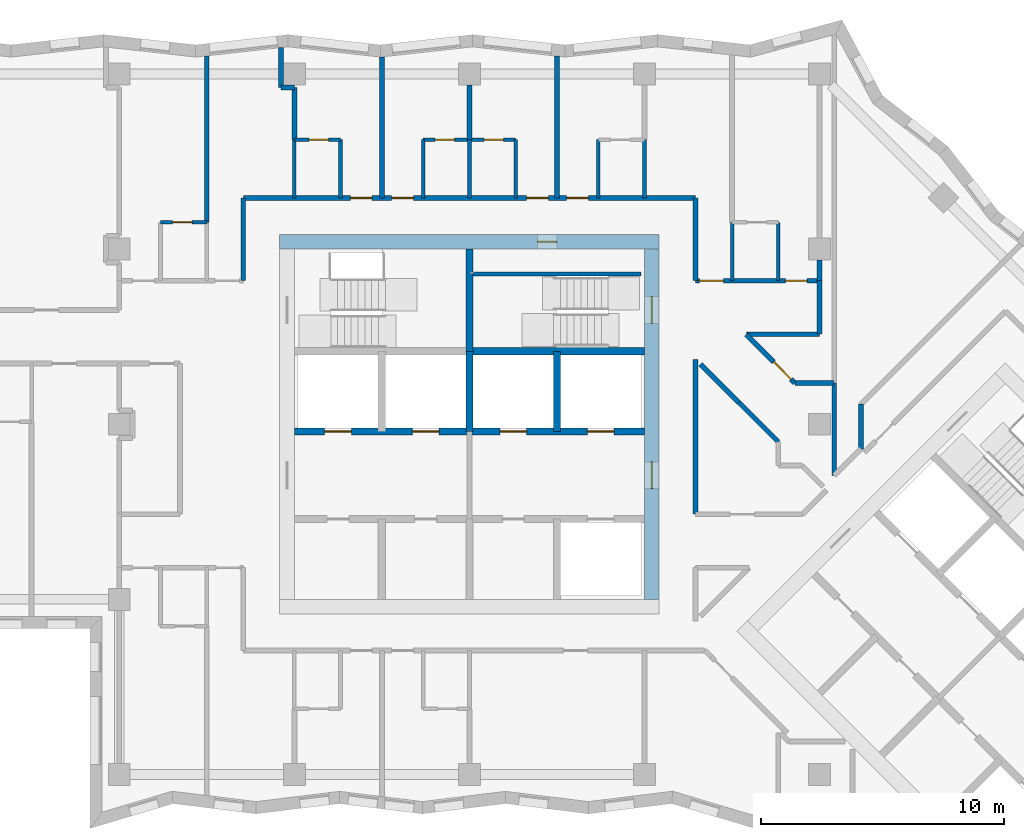
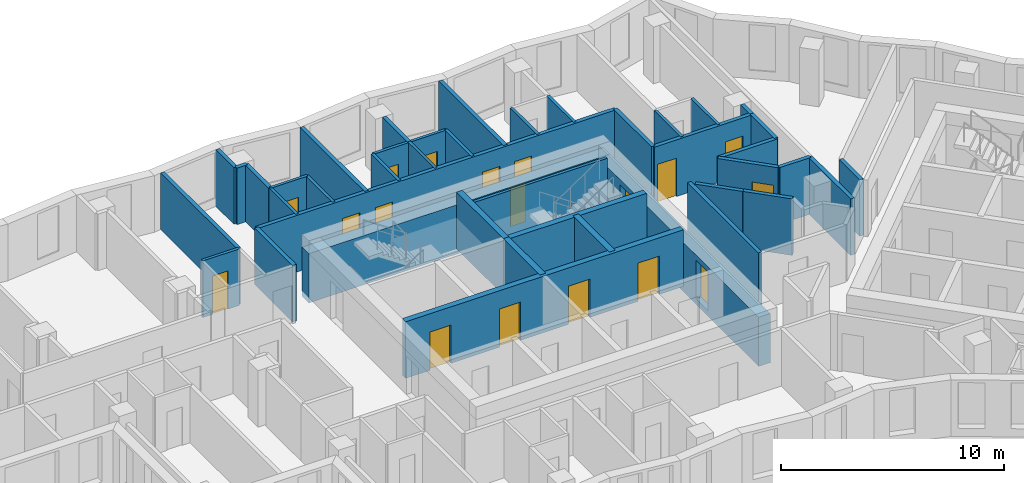
# One storey, part 6 of 12: 41 walls, 18 doors, 18 openings.
"""IFC4 building model written with IfcOpenShell, lengths in metres."""

import ifcopenshell
import ifcopenshell.guid

model = None  # the IFC model being written
_history = None  # IfcOwnerHistory: only IFC2X3 demands one
_inside = {}  # id of a spatial element -> (the spatial element, [elements in it])
_under = {}  # id of a project, library or spatial element -> (it, [spatial elements below it])
_declared = {}  # id of a project -> (the project, [libraries it declares])
_typed = {}  # id of a type object -> (the type object, [elements of that type])
_made_of = {}  # id of a material, layer set ... -> (it, [elements and type objects made of it])


def new_model(schema):
    """Start an empty IFC model of exactly this schema.

    Asked for "IFC4X3", IfcOpenShell would pick the latest addendum, in which some entities
    have other attributes; the version numbers below select the first issue.
    IFC2X3 requires an IfcOwnerHistory on every rooted entity: one is made here for all.
    """
    global model, _history
    if schema == "IFC4X3":
        model = ifcopenshell.file(schema_version=(4, 3, 0, 0))
    else:
        model = ifcopenshell.file(schema=schema)
    _inside.clear()
    _under.clear()
    _declared.clear()
    _typed.clear()
    _made_of.clear()
    _history = None
    if model.schema == "IFC2X3":
        org = make("IfcOrganization", Name="unknown")
        user = make(
            "IfcPersonAndOrganization",
            ThePerson=make("IfcPerson", FamilyName="unknown"),
            TheOrganization=org,
        )
        app = make(
            "IfcApplication",
            ApplicationDeveloper=org,
            Version="unknown",
            ApplicationFullName="unknown",
            ApplicationIdentifier="unknown",
        )
        _history = make(
            "IfcOwnerHistory",
            OwningUser=user,
            OwningApplication=app,
            ChangeAction="ADDED",
            CreationDate=0,
        )
    return model


def make(cls, **values):
    """One entity of the class cls with the attributes given. An attribute that is None is left unset."""
    return model.create_entity(
        cls, **{name: value for name, value in values.items() if value is not None}
    )


def rooted(cls, **values):
    """An entity with a GlobalId (a new one), such as an element, a storey or a relation."""
    return make(cls, GlobalId=ifcopenshell.guid.new(), OwnerHistory=_history, **values)


def si_unit(unit_type, name, prefix=None):
    """IfcSIUnit, for example si_unit("LENGTHUNIT", "METRE", prefix="MILLI")."""
    return make("IfcSIUnit", UnitType=unit_type, Prefix=prefix, Name=name)


def assignment(units):
    """IfcUnitAssignment: the units of a project."""
    return None if units is None else make("IfcUnitAssignment", Units=units)


def point(xyz):
    """IfcCartesianPoint."""
    return None if xyz is None else make("IfcCartesianPoint", Coordinates=xyz)


def direction(xyz):
    """IfcDirection."""
    return None if xyz is None else make("IfcDirection", DirectionRatios=xyz)


def frame(location, z_axis=None, x_axis=None):
    """IfcAxis2Placement3D, a coordinate frame: its origin and axes. An axis left out is left unset."""
    return make(
        "IfcAxis2Placement3D",
        Location=point(location),
        Axis=direction(z_axis),
        RefDirection=direction(x_axis),
    )


def frame_2d(location, x_axis=None):
    """IfcAxis2Placement2D, a coordinate frame in the plane: its origin and x axis."""
    return make(
        "IfcAxis2Placement2D", Location=point(location), RefDirection=direction(x_axis)
    )


def origin():
    """The frame at (0, 0, 0) with its axes left unset."""
    return frame((0.0, 0.0, 0.0))


def place(relative_to, where):
    """IfcLocalPlacement: puts the frame where relative to a parent placement (None: the world)."""
    return make(
        "IfcLocalPlacement", PlacementRelTo=relative_to, RelativePlacement=where
    )


def context(
    kind, dimensions, precision=None, world=None, true_north=None, identifier=None
):
    """IfcGeometricRepresentationContext, for example the 3D "Model" context."""
    return make(
        "IfcGeometricRepresentationContext",
        ContextIdentifier=identifier,
        ContextType=kind,
        CoordinateSpaceDimension=dimensions,
        Precision=precision,
        WorldCoordinateSystem=world,
        TrueNorth=true_north,
    )


def subcontext(parent, identifier, kind, view, scale=None):
    """IfcGeometricRepresentationSubContext, for example "Body" below "Model"."""
    return make(
        "IfcGeometricRepresentationSubContext",
        ContextIdentifier=identifier,
        ContextType=kind,
        ParentContext=parent,
        TargetScale=scale,
        TargetView=view,
    )


def project(units=None, contexts=None):
    """IfcProject with its units and contexts."""
    return rooted(
        "IfcProject",
        Name="project",
        RepresentationContexts=contexts,
        UnitsInContext=assignment(units),
    )


def spatial(cls, under=None, at=None, **own):
    """A site, building, storey or space (cls), placed at a placement, below another one or the project."""
    s = rooted(cls, ObjectPlacement=at, **own)
    if under is not None:
        _under.setdefault(under.id(), (under, []))[1].append(s)
    return s


def profile(cls, at=None, kind="AREA", **sizes):
    """A parametric profile (cls). Its sizes go by their IFC names, for example OverallWidth=200.0."""
    return make(cls, ProfileType=kind, Position=at, **sizes)


def rectangle(**sizes):
    """IfcRectangleProfileDef."""
    return profile("IfcRectangleProfileDef", **sizes)


def extrude(swept, where, along, depth):
    """IfcExtrudedAreaSolid: the profile swept, set in the frame where, extruded along a direction by depth."""
    return make(
        "IfcExtrudedAreaSolid",
        SweptArea=swept,
        Position=where,
        ExtrudedDirection=direction(along),
        Depth=depth,
    )


def shape(context_of_items, identifier, shape_type, items):
    """IfcShapeRepresentation: the items that make up one representation, for example the "Body"."""
    return make(
        "IfcShapeRepresentation",
        ContextOfItems=context_of_items,
        RepresentationIdentifier=identifier,
        RepresentationType=shape_type,
        Items=items,
    )


def material(Name=None, Category=None):
    """IfcMaterial."""
    return make("IfcMaterial", Name=Name, Category=Category)


def layer(
    of_material, thickness, ventilated=None, Name=None, Category=None, Priority=None
):
    """IfcMaterialLayer: one layer of a wall or slab, of a material (None: an air gap)."""
    return make(
        "IfcMaterialLayer",
        Material=of_material,
        LayerThickness=thickness,
        IsVentilated=ventilated,
        Name=Name,
        Category=Category,
        Priority=Priority,
    )


def layer_set(layers, Name=None):
    """IfcMaterialLayerSet."""
    return make("IfcMaterialLayerSet", MaterialLayers=layers, LayerSetName=Name)


def made_of(thing, what):
    """Note that an element or type object is made of a material, layer set ...; save() writes the relation."""
    if what is not None:
        _made_of.setdefault(what.id(), (what, []))[1].append(thing)
    return thing


def type_object(cls, material=None, **own):
    """A type object (cls), such as IfcWallType, which elements share."""
    return made_of(rooted(cls, **own), material)


def element(
    cls,
    number,
    at=None,
    inside=None,
    cuts=None,
    type_object=None,
    material=None,
    context=None,
    identifier="Body",
    shape_type=None,
    held_by="IfcProductDefinitionShape",
    body=None,
    shapes=None,
    **own,
):
    """One element of the class cls, such as IfcWall. Its Tag is "e" and its number.

    at: its placement. inside: the storey or other place that contains it. cuts: it is an
    opening in that element (IfcRelVoidsElement). A single representation is given by context,
    identifier, shape_type and body (its items); several are given by shapes. held_by: the class
    of the entity that holds the representations. save() writes the other relations.
    """
    e = rooted(cls, Tag="e%d" % number, ObjectPlacement=at, **own)
    if body is not None:
        shapes = [shape(context, identifier, shape_type, body)]
    if shapes is not None:
        e.Representation = make(held_by, Representations=shapes)
    if inside is not None:
        _inside.setdefault(inside.id(), (inside, []))[1].append(e)
    if cuts is not None:
        rooted(
            "IfcRelVoidsElement", RelatingBuildingElement=cuts, RelatedOpeningElement=e
        )
    if type_object is not None:
        _typed.setdefault(type_object.id(), (type_object, []))[1].append(e)
    return made_of(e, material)


def fill(opening, filler):
    """IfcRelFillsElement: the door or window that sits in an opening."""
    return rooted(
        "IfcRelFillsElement",
        RelatingOpeningElement=opening,
        RelatedBuildingElement=filler,
    )


def aggregate(whole, parts):
    """IfcRelAggregates: a whole, such as a stair, and the parts it consists of."""
    return rooted("IfcRelAggregates", RelatingObject=whole, RelatedObjects=parts)


def save(model, path):
    """Write the relations noted so far, then the file.

    IfcRelAggregates (storeys below a building ...), IfcRelContainedInSpatialStructure (elements
    in a storey), IfcRelDefinesByType, IfcRelAssociatesMaterial and IfcRelDeclares: one each for
    every whole, place, type object, material and project.
    """
    for whole, parts in _under.values():
        aggregate(whole, parts)
    for where, things in _inside.values():
        rooted(
            "IfcRelContainedInSpatialStructure",
            RelatedElements=things,
            RelatingStructure=where,
        )
    for kind, things in _typed.values():
        rooted("IfcRelDefinesByType", RelatedObjects=things, RelatingType=kind)
    for what, things in _made_of.values():
        rooted("IfcRelAssociatesMaterial", RelatedObjects=things, RelatingMaterial=what)
    for by, libraries in _declared.values():
        rooted("IfcRelDeclares", RelatingContext=by, RelatedDefinitions=libraries)
    model.write(path)


model = new_model("IFC4")

# Units and contexts
model_context = context("Model", 3, precision=1e-05, world=origin(), true_north=direction((0.0, 1.0)))
body_context = subcontext(model_context, "Body", "Model", "MODEL_VIEW")
ifc_project = project(units=[si_unit("LENGTHUNIT", "METRE"), si_unit("AREAUNIT", "SQUARE_METRE"), si_unit("VOLUMEUNIT", "CUBIC_METRE"), si_unit("PLANEANGLEUNIT", "RADIAN"), si_unit("MASSUNIT", "GRAM", prefix="KILO")], contexts=[model_context])

# Site, building, storey
site_placement = place(None, origin())
site = spatial("IfcSite", under=ifc_project, at=site_placement, CompositionType="ELEMENT")
building_placement = place(site_placement, origin())
building = spatial("IfcBuilding", under=site, at=building_placement, Name="Windrow Commons", CompositionType="ELEMENT")
storey_placement = place(building_placement, frame((0.0, 0.0, 149.0)))
storey = spatial("IfcBuildingStorey", under=building, at=storey_placement, Name="L40", CompositionType="ELEMENT", Elevation=149.0)

# Wall, openings, doors
ifc_material_1 = material(Name="Blockwork partition", Category="masonry")
ifc_layer_1 = layer(ifc_material_1, 0.2)
ifc_layer_set_1 = layer_set([ifc_layer_1], Name="IW-CORRIDOR-200")
wall_type_1 = type_object("IfcWallType", Name="IW-CORRIDOR-200", PredefinedType="PARTITIONING", material=ifc_layer_set_1)
wall_1_placement = place(storey_placement, frame((55.5, 66.9, 0.0), z_axis=(0.0, 0.0, 1.0), x_axis=(1.0, 0.0, 0.0)))
wall_1 = element("IfcWall", 1, at=wall_1_placement, inside=storey, type_object=wall_type_1, Name="W-L40-W002", PredefinedType="PARTITIONING", context=body_context, shape_type="SweptSolid", body=[
    extrude(rectangle(XDim=18.6, YDim=0.2, at=frame_2d((9.3, 0.0))), origin(), (0.0, 0.0, 1.0), 3.1),
])
opening_1_placement = place(wall_1_placement, frame((4.4, 0.0, 0.0)))
opening_1 = element("IfcOpeningElement", 2, at=opening_1_placement, cuts=wall_1, Name="Opening D109S", PredefinedType="OPENING", context=body_context, shape_type="SweptSolid", body=[
    extrude(rectangle(XDim=0.9, YDim=2.1, at=frame_2d((0.45, 1.05))), frame((0.0, 0.11, 0.0), z_axis=(0.0, -1.0, 0.0), x_axis=(1.0, 0.0, 0.0)), (0.0, 0.0, 1.0), 0.22),
])
opening_2_placement = place(wall_1_placement, frame((6.1, 0.0, 0.0)))
opening_2 = element("IfcOpeningElement", 3, at=opening_2_placement, cuts=wall_1, Name="Opening D109S", PredefinedType="OPENING", context=body_context, shape_type="SweptSolid", body=[
    extrude(rectangle(XDim=0.9, YDim=2.1, at=frame_2d((0.45, 1.05))), frame((0.0, 0.11, 0.0), z_axis=(0.0, -1.0, 0.0), x_axis=(1.0, 0.0, 0.0)), (0.0, 0.0, 1.0), 0.22),
])
opening_3_placement = place(wall_1_placement, frame((11.65, 0.0, 0.0)))
opening_3 = element("IfcOpeningElement", 4, at=opening_3_placement, cuts=wall_1, Name="Opening D109S", PredefinedType="OPENING", context=body_context, shape_type="SweptSolid", body=[
    extrude(rectangle(XDim=0.9, YDim=2.1, at=frame_2d((0.45, 1.05))), frame((0.0, 0.11, 0.0), z_axis=(0.0, -1.0, 0.0), x_axis=(1.0, 0.0, 0.0)), (0.0, 0.0, 1.0), 0.22),
])
opening_4_placement = place(wall_1_placement, frame((13.3, 0.0, 0.0)))
opening_4 = element("IfcOpeningElement", 5, at=opening_4_placement, cuts=wall_1, Name="Opening D109S", PredefinedType="OPENING", context=body_context, shape_type="SweptSolid", body=[
    extrude(rectangle(XDim=0.9, YDim=2.1, at=frame_2d((0.45, 1.05))), frame((0.0, 0.11, 0.0), z_axis=(0.0, -1.0, 0.0), x_axis=(1.0, 0.0, 0.0)), (0.0, 0.0, 1.0), 0.22),
])
ifc_material_2 = material(Name="Timber door leaf", Category="wood")
door_type_1 = type_object("IfcDoorType", Name="DT-BEDROOM-900", OperationType="SINGLE_SWING_LEFT", PredefinedType="DOOR", material=ifc_material_2)
door_1_placement = place(opening_1_placement, origin())
door_1 = element("IfcDoor", 6, at=door_1_placement, inside=storey, type_object=door_type_1, Name="D-L40-D008", OperationType="SINGLE_SWING_RIGHT", OverallHeight=2.1, OverallWidth=0.9, PredefinedType="DOOR", context=body_context, shape_type="SweptSolid", body=[
    extrude(rectangle(XDim=0.9, YDim=2.1, at=frame_2d((0.45, 1.05))), frame((0.0, 0.025, 0.0), z_axis=(0.0, -1.0, 0.0), x_axis=(1.0, 0.0, 0.0)), (0.0, 0.0, 1.0), 0.05),
])
fill(opening_1, door_1)
door_2_placement = place(opening_2_placement, origin())
door_2 = element("IfcDoor", 7, at=door_2_placement, inside=storey, type_object=door_type_1, Name="D-L40-D010", OperationType="SINGLE_SWING_LEFT", OverallHeight=2.1, OverallWidth=0.9, PredefinedType="DOOR", context=body_context, shape_type="SweptSolid", body=[
    extrude(rectangle(XDim=0.9, YDim=2.1, at=frame_2d((0.45, 1.05))), frame((0.0, 0.025, 0.0), z_axis=(0.0, -1.0, 0.0), x_axis=(1.0, 0.0, 0.0)), (0.0, 0.0, 1.0), 0.05),
])
fill(opening_2, door_2)
door_3_placement = place(opening_3_placement, origin())
door_3 = element("IfcDoor", 8, at=door_3_placement, inside=storey, type_object=door_type_1, Name="D-L40-D012", OperationType="SINGLE_SWING_RIGHT", OverallHeight=2.1, OverallWidth=0.9, PredefinedType="DOOR", context=body_context, shape_type="SweptSolid", body=[
    extrude(rectangle(XDim=0.9, YDim=2.1, at=frame_2d((0.45, 1.05))), frame((0.0, 0.025, 0.0), z_axis=(0.0, -1.0, 0.0), x_axis=(1.0, 0.0, 0.0)), (0.0, 0.0, 1.0), 0.05),
])
fill(opening_3, door_3)
door_4_placement = place(opening_4_placement, origin())
door_4 = element("IfcDoor", 9, at=door_4_placement, inside=storey, type_object=door_type_1, Name="D-L40-D014", OperationType="SINGLE_SWING_LEFT", OverallHeight=2.1, OverallWidth=0.9, PredefinedType="DOOR", context=body_context, shape_type="SweptSolid", body=[
    extrude(rectangle(XDim=0.9, YDim=2.1, at=frame_2d((0.45, 1.05))), frame((0.0, 0.025, 0.0), z_axis=(0.0, -1.0, 0.0), x_axis=(1.0, 0.0, 0.0)), (0.0, 0.0, 1.0), 0.05),
])
fill(opening_4, door_4)

# Wall
wall_2_placement = place(storey_placement, frame((74.1, 53.902, 0.0), z_axis=(0.0, 0.0, 1.0), x_axis=(0.0, 1.0, 0.0)))
element("IfcWall", 10, at=wall_2_placement, inside=storey, type_object=wall_type_1, Name="W-L40-W019", PredefinedType="PARTITIONING", context=body_context, shape_type="SweptSolid", body=[
    extrude(rectangle(XDim=6.366, YDim=0.2, at=frame_2d((3.183, 0.0))), origin(), (0.0, 0.0, 1.0), 3.1),
])

# Wall, openings, doors
wall_3_placement = place(storey_placement, frame((74.102, 63.5, 0.0), z_axis=(0.0, 0.0, 1.0), x_axis=(1.0, 0.0, 0.0)))
wall_3 = element("IfcWall", 11, at=wall_3_placement, inside=storey, type_object=wall_type_1, Name="W-L40-W039", PredefinedType="PARTITIONING", context=body_context, shape_type="SweptSolid", body=[
    extrude(rectangle(XDim=5.098, YDim=0.2, at=frame_2d((2.549, 0.0))), origin(), (0.0, 0.0, 1.0), 3.1),
])
opening_5_placement = place(wall_3_placement, frame((0.1491, 0.0, 0.0)))
opening_5 = element("IfcOpeningElement", 12, at=opening_5_placement, cuts=wall_3, Name="Opening D310F", PredefinedType="OPENING", context=body_context, shape_type="SweptSolid", body=[
    extrude(rectangle(XDim=1.0, YDim=2.1, at=frame_2d((0.5, 1.05))), frame((0.0, 0.11, 0.0), z_axis=(0.0, -1.0, 0.0), x_axis=(1.0, 0.0, 0.0)), (0.0, 0.0, 1.0), 0.22),
])
opening_6_placement = place(wall_3_placement, frame((3.688, 0.0, 0.0)))
opening_6 = element("IfcOpeningElement", 13, at=opening_6_placement, cuts=wall_3, Name="Opening D109S", PredefinedType="OPENING", context=body_context, shape_type="SweptSolid", body=[
    extrude(rectangle(XDim=0.9, YDim=2.1, at=frame_2d((0.45, 1.05))), frame((0.0, 0.11, 0.0), z_axis=(0.0, -1.0, 0.0), x_axis=(1.0, 0.0, 0.0)), (0.0, 0.0, 1.0), 0.22),
])
ifc_material_3 = material(Name="Timber door leaf", Category="wood")
door_type_2 = type_object("IfcDoorType", Name="DT-AMENITY-1000", OperationType="SINGLE_SWING_LEFT", PredefinedType="DOOR", material=ifc_material_3)
door_5_placement = place(opening_5_placement, origin())
door_5 = element("IfcDoor", 14, at=door_5_placement, inside=storey, type_object=door_type_2, Name="D-L40-D026", OperationType="SINGLE_SWING_RIGHT", OverallHeight=2.1, OverallWidth=1.0, PredefinedType="DOOR", context=body_context, shape_type="SweptSolid", body=[
    extrude(rectangle(XDim=1.0, YDim=2.1, at=frame_2d((0.5, 1.05))), frame((0.0, 0.025, 0.0), z_axis=(0.0, -1.0, 0.0), x_axis=(1.0, 0.0, 0.0)), (0.0, 0.0, 1.0), 0.05),
])
fill(opening_5, door_5)
door_6_placement = place(opening_6_placement, origin())
door_6 = element("IfcDoor", 15, at=door_6_placement, inside=storey, type_object=door_type_1, Name="D-L40-D027", OperationType="SINGLE_SWING_LEFT", OverallHeight=2.1, OverallWidth=0.9, PredefinedType="DOOR", context=body_context, shape_type="SweptSolid", body=[
    extrude(rectangle(XDim=0.9, YDim=2.1, at=frame_2d((0.45, 1.05))), frame((0.0, 0.025, 0.0), z_axis=(0.0, -1.0, 0.0), x_axis=(1.0, 0.0, 0.0)), (0.0, 0.0, 1.0), 0.05),
])
fill(opening_6, door_6)

# Walls
wall_4_placement = place(storey_placement, frame((79.8, 55.49, 0.0), z_axis=(0.0, 0.0, 1.0), x_axis=(0.0, 1.0, 0.0)))
element("IfcWall", 16, at=wall_4_placement, inside=storey, type_object=wall_type_1, Name="W-L40-W045", PredefinedType="PARTITIONING", context=body_context, shape_type="SweptSolid", body=[
    extrude(rectangle(XDim=3.81, YDim=0.2, at=frame_2d((1.905, 0.0))), origin(), (0.0, 0.0, 1.0), 3.1),
])
for number, where, z_axis, x_axis, name in (
    (17, (55.5, 63.502, 0.0), (0.0, 0.0, 1.0), (0.0, 1.0, 0.0), "W-L40-W050"),
    (18, (74.1, 63.502, 0.0), (0.0, 0.0, 1.0), (0.0, 1.0, 0.0), "W-L40-W051"),
):
    element("IfcWall", number, at=place(storey_placement, frame(where, z_axis=z_axis, x_axis=x_axis)), inside=storey, type_object=wall_type_1, Name=name, PredefinedType="PARTITIONING", context=body_context, shape_type="SweptSolid", body=[
        extrude(rectangle(XDim=3.398, YDim=0.2, at=frame_2d((1.699, 0.0))), origin(), (0.0, 0.0, 1.0), 3.1),
    ])
wall_5_placement = place(storey_placement, frame((76.184, 61.3, 0.0), z_axis=(0.0, 0.0, 1.0), x_axis=(1.0, 0.0, 0.0)))
element("IfcWall", 19, at=wall_5_placement, inside=storey, type_object=wall_type_1, Name="W-L40-W056", PredefinedType="PARTITIONING", context=body_context, shape_type="SweptSolid", body=[
    extrude(rectangle(XDim=3.016, YDim=0.2, at=frame_2d((1.508, 0.0))), origin(), (0.0, 0.0, 1.0), 3.1),
])

# Wall, opening, door
wall_6_placement = place(storey_placement, frame((76.1809, 61.2949, 0.0), z_axis=(0.0, 0.0, 1.0), x_axis=(0.7071067812, -0.7071067812, 0.0)))
wall_6 = element("IfcWall", 20, at=wall_6_placement, inside=storey, type_object=wall_type_1, Name="W-L40-W059", PredefinedType="PARTITIONING", context=body_context, shape_type="SweptSolid", body=[
    extrude(rectangle(XDim=2.8256, YDim=0.2, at=frame_2d((1.4128, 0.0))), origin(), (0.0, 0.0, 1.0), 3.1),
])
opening_7_placement = place(wall_6_placement, frame((1.6002, 0.0, 0.0)))
opening_7 = element("IfcOpeningElement", 21, at=opening_7_placement, cuts=wall_6, Name="Opening D410F", PredefinedType="OPENING", context=body_context, shape_type="SweptSolid", body=[
    extrude(rectangle(XDim=1.0, YDim=2.1, at=frame_2d((0.5, 1.05))), frame((0.0, 0.11, 0.0), z_axis=(0.0, -1.0, 0.0), x_axis=(1.0, 0.0, 0.0)), (0.0, 0.0, 1.0), 0.22),
])
ifc_material_4 = material(Name="Timber door leaf", Category="wood")
door_type_3 = type_object("IfcDoorType", Name="DT-SERVICE-1000", OperationType="SINGLE_SWING_LEFT", PredefinedType="DOOR", material=ifc_material_4)
door_7_placement = place(opening_7_placement, origin())
door_7 = element("IfcDoor", 22, at=door_7_placement, inside=storey, type_object=door_type_3, Name="D-L40-D039", OperationType="SINGLE_SWING_LEFT", OverallHeight=2.1, OverallWidth=1.0, PredefinedType="DOOR", context=body_context, shape_type="SweptSolid", body=[
    extrude(rectangle(XDim=1.0, YDim=2.1, at=frame_2d((0.5, 1.05))), frame((0.0, 0.025, 0.0), z_axis=(0.0, -1.0, 0.0), x_axis=(1.0, 0.0, 0.0)), (0.0, 0.0, 1.0), 0.05),
])
fill(opening_7, door_7)

# Walls
wall_7_placement = place(storey_placement, frame((75.8786, 58.4966, 0.0), z_axis=(0.0, 0.0, 1.0), x_axis=(0.7075423257, -0.7066709682, 0.0)))
element("IfcWall", 23, at=wall_7_placement, inside=storey, type_object=wall_type_1, Name="W-L40-W098", PredefinedType="PARTITIONING", context=body_context, shape_type="SweptSolid", body=[
    extrude(rectangle(XDim=2.2953, YDim=0.2, at=frame_2d((1.1477, 0.0))), origin(), (0.0, 0.0, 1.0), 3.1),
])
wall_8_placement = place(storey_placement, frame((74.2972, 60.0672, 0.0), z_axis=(0.0, 0.0, 1.0), x_axis=(0.7071067812, -0.7071067812, 0.0)))
element("IfcWall", 24, at=wall_8_placement, inside=storey, type_object=wall_type_1, Name="W-L40-W105", PredefinedType="PARTITIONING", context=body_context, shape_type="SweptSolid", body=[
    extrude(rectangle(XDim=2.2288, YDim=0.2, at=frame_2d((1.1144, 0.0))), origin(), (0.0, 0.0, 1.0), 3.1),
])
wall_9_placement = place(storey_placement, frame((79.2, 61.302, 0.0), z_axis=(0.0, 0.0, 1.0), x_axis=(0.0, 1.0, 0.0)))
element("IfcWall", 25, at=wall_9_placement, inside=storey, type_object=wall_type_1, Name="W-L40-W110", PredefinedType="PARTITIONING", context=body_context, shape_type="SweptSolid", body=[
    extrude(rectangle(XDim=2.198, YDim=0.2, at=frame_2d((1.099, 0.0))), origin(), (0.0, 0.0, 1.0), 3.1),
])
wall_10_placement = place(storey_placement, frame((78.182, 59.3, 0.0), z_axis=(0.0, 0.0, 1.0), x_axis=(1.0, 0.0, 0.0)))
element("IfcWall", 26, at=wall_10_placement, inside=storey, type_object=wall_type_1, Name="W-L40-W140", PredefinedType="PARTITIONING", context=body_context, shape_type="SweptSolid", body=[
    extrude(rectangle(XDim=1.618, YDim=0.2, at=frame_2d((0.809, 0.0))), origin(), (0.0, 0.0, 1.0), 3.1),
])

# Wall, openings, doors
ifc_material_5 = material(Name="Blockwork partition", Category="masonry")
ifc_layer_2 = layer(ifc_material_5, 0.15)
ifc_layer_set_2 = layer_set([ifc_layer_2], Name="IW-ENSUITE-150")
wall_type_2 = type_object("IfcWallType", Name="IW-ENSUITE-150", PredefinedType="PARTITIONING", material=ifc_layer_set_2)
wall_11_placement = place(storey_placement, frame((62.9, 69.3, 0.0), z_axis=(0.0, 0.0, 1.0), x_axis=(1.0, 0.0, 0.0)))
wall_11 = element("IfcWall", 27, at=wall_11_placement, inside=storey, type_object=wall_type_2, Name="W-L40-W046", PredefinedType="PARTITIONING", context=body_context, shape_type="SweptSolid", body=[
    extrude(rectangle(XDim=3.8, YDim=0.15, at=frame_2d((1.9, 0.0))), origin(), (0.0, 0.0, 1.0), 3.1),
])
opening_8_placement = place(wall_11_placement, frame((0.4931, 0.0, 0.0)))
opening_8 = element("IfcOpeningElement", 28, at=opening_8_placement, cuts=wall_11, Name="Opening D208N", PredefinedType="OPENING", context=body_context, shape_type="SweptSolid", body=[
    extrude(rectangle(XDim=0.8, YDim=2.1, at=frame_2d((0.4, 1.05))), frame((0.0, 0.085, 0.0), z_axis=(0.0, -1.0, 0.0), x_axis=(1.0, 0.0, 0.0)), (0.0, 0.0, 1.0), 0.17),
])
opening_9_placement = place(wall_11_placement, frame((2.5069, 0.0, 0.0)))
opening_9 = element("IfcOpeningElement", 29, at=opening_9_placement, cuts=wall_11, Name="Opening D208N", PredefinedType="OPENING", context=body_context, shape_type="SweptSolid", body=[
    extrude(rectangle(XDim=0.8, YDim=2.1, at=frame_2d((0.4, 1.05))), frame((0.0, 0.085, 0.0), z_axis=(0.0, -1.0, 0.0), x_axis=(1.0, 0.0, 0.0)), (0.0, 0.0, 1.0), 0.17),
])
ifc_material_6 = material(Name="Timber door leaf", Category="wood")
door_type_4 = type_object("IfcDoorType", Name="DT-ENSUITE-800", OperationType="SINGLE_SWING_LEFT", PredefinedType="DOOR", material=ifc_material_6)
door_8_placement = place(opening_8_placement, origin())
door_8 = element("IfcDoor", 30, at=door_8_placement, inside=storey, type_object=door_type_4, Name="D-L40-D011", OperationType="SINGLE_SWING_RIGHT", OverallHeight=2.1, OverallWidth=0.8, PredefinedType="DOOR", context=body_context, shape_type="SweptSolid", body=[
    extrude(rectangle(XDim=0.8, YDim=2.1, at=frame_2d((0.4, 1.05))), frame((0.0, 0.025, 0.0), z_axis=(0.0, -1.0, 0.0), x_axis=(1.0, 0.0, 0.0)), (0.0, 0.0, 1.0), 0.05),
])
fill(opening_8, door_8)
door_9_placement = place(opening_9_placement, origin())
door_9 = element("IfcDoor", 31, at=door_9_placement, inside=storey, type_object=door_type_4, Name="D-L40-D013", OperationType="SINGLE_SWING_RIGHT", OverallHeight=2.1, OverallWidth=0.8, PredefinedType="DOOR", context=body_context, shape_type="SweptSolid", body=[
    extrude(rectangle(XDim=0.8, YDim=2.1, at=frame_2d((0.4, 1.05))), frame((0.0, 0.025, 0.0), z_axis=(0.0, -1.0, 0.0), x_axis=(1.0, 0.0, 0.0)), (0.0, 0.0, 1.0), 0.05),
])
fill(opening_9, door_9)

# Walls
for number, where, z_axis, x_axis, name in (
    (32, (75.6, 63.5, 0.0), (0.0, 0.0, 1.0), (0.0, 1.0, 0.0), "W-L40-W079"),
    (33, (77.5, 63.5, 0.0), (0.0, 0.0, 1.0), (0.0, 1.0, 0.0), "W-L40-W080"),
    (34, (59.5, 66.9, 0.0), (0.0, 0.0, 1.0), (0.0, 1.0, 0.0), "W-L40-W087"),
    (35, (57.6, 66.9, 0.0), (0.0, 0.0, 1.0), (0.0, 1.0, 0.0), "W-L40-W088"),
    (36, (62.9, 66.9, 0.0), (0.0, 0.0, 1.0), (0.0, 1.0, 0.0), "W-L40-W089"),
    (37, (64.8, 66.9, 0.0), (0.0, 0.0, 1.0), (0.0, 1.0, 0.0), "W-L40-W090"),
    (38, (66.7, 66.9, 0.0), (0.0, 0.0, 1.0), (0.0, 1.0, 0.0), "W-L40-W091"),
    (39, (70.1, 66.9, 0.0), (0.0, 0.0, 1.0), (0.0, 1.0, 0.0), "W-L40-W092"),
    (40, (72.0, 66.9, 0.0), (0.0, 0.0, 1.0), (0.0, 1.0, 0.0), "W-L40-W093"),
):
    element("IfcWall", number, at=place(storey_placement, frame(where, z_axis=z_axis, x_axis=x_axis)), inside=storey, type_object=wall_type_2, Name=name, PredefinedType="PARTITIONING", context=body_context, shape_type="SweptSolid", body=[
        extrude(rectangle(XDim=2.4, YDim=0.15, at=frame_2d((1.2, 0.0))), origin(), (0.0, 0.0, 1.0), 3.1),
    ])

# Wall, opening, door
wall_12_placement = place(storey_placement, frame((52.1, 65.9, 0.0), z_axis=(0.0, 0.0, 1.0), x_axis=(1.0, 0.0, 0.0)))
wall_12 = element("IfcWall", 41, at=wall_12_placement, inside=storey, type_object=wall_type_2, Name="W-L40-W129", PredefinedType="PARTITIONING", context=body_context, shape_type="SweptSolid", body=[
    extrude(rectangle(XDim=1.9, YDim=0.15, at=frame_2d((0.95, 0.0))), origin(), (0.0, 0.0, 1.0), 3.1),
])
opening_10_placement = place(wall_12_placement, frame((0.4931, 0.0, 0.0)))
opening_10 = element("IfcOpeningElement", 42, at=opening_10_placement, cuts=wall_12, Name="Opening D208N", PredefinedType="OPENING", context=body_context, shape_type="SweptSolid", body=[
    extrude(rectangle(XDim=0.8, YDim=2.1, at=frame_2d((0.4, 1.05))), frame((0.0, 0.085, 0.0), z_axis=(0.0, -1.0, 0.0), x_axis=(1.0, 0.0, 0.0)), (0.0, 0.0, 1.0), 0.17),
])
door_10_placement = place(opening_10_placement, origin())
door_10 = element("IfcDoor", 43, at=door_10_placement, inside=storey, type_object=door_type_4, Name="D-L40-D024", OperationType="SINGLE_SWING_RIGHT", OverallHeight=2.1, OverallWidth=0.8, PredefinedType="DOOR", context=body_context, shape_type="SweptSolid", body=[
    extrude(rectangle(XDim=0.8, YDim=2.1, at=frame_2d((0.4, 1.05))), frame((0.0, 0.025, 0.0), z_axis=(0.0, -1.0, 0.0), x_axis=(1.0, 0.0, 0.0)), (0.0, 0.0, 1.0), 0.05),
])
fill(opening_10, door_10)

wall_13_placement = place(storey_placement, frame((57.6, 69.3, 0.0), z_axis=(0.0, 0.0, 1.0), x_axis=(1.0, 0.0, 0.0)))
wall_13 = element("IfcWall", 44, at=wall_13_placement, inside=storey, type_object=wall_type_2, Name="W-L40-W132", PredefinedType="PARTITIONING", context=body_context, shape_type="SweptSolid", body=[
    extrude(rectangle(XDim=1.9, YDim=0.15, at=frame_2d((0.95, 0.0))), origin(), (0.0, 0.0, 1.0), 3.1),
])
opening_11_placement = place(wall_13_placement, frame((0.6069, 0.0, 0.0)))
opening_11 = element("IfcOpeningElement", 45, at=opening_11_placement, cuts=wall_13, Name="Opening D208N", PredefinedType="OPENING", context=body_context, shape_type="SweptSolid", body=[
    extrude(rectangle(XDim=0.8, YDim=2.1, at=frame_2d((0.4, 1.05))), frame((0.0, 0.085, 0.0), z_axis=(0.0, -1.0, 0.0), x_axis=(1.0, 0.0, 0.0)), (0.0, 0.0, 1.0), 0.17),
])
door_11_placement = place(opening_11_placement, origin())
door_11 = element("IfcDoor", 46, at=door_11_placement, inside=storey, type_object=door_type_4, Name="D-L40-D009", OperationType="SINGLE_SWING_RIGHT", OverallHeight=2.1, OverallWidth=0.8, PredefinedType="DOOR", context=body_context, shape_type="SweptSolid", body=[
    extrude(rectangle(XDim=0.8, YDim=2.1, at=frame_2d((0.4, 1.05))), frame((0.0, 0.025, 0.0), z_axis=(0.0, -1.0, 0.0), x_axis=(1.0, 0.0, 0.0)), (0.0, 0.0, 1.0), 0.05),
])
fill(opening_11, door_11)

# Walls
ifc_material_7 = material(Name="Blockwork partition", Category="masonry")
ifc_layer_3 = layer(ifc_material_7, 0.2)
ifc_layer_set_3 = layer_set([ifc_layer_3], Name="IW-PARTY-200")
wall_type_3 = type_object("IfcWallType", Name="IW-PARTY-200", PredefinedType="PARTITIONING", material=ifc_layer_set_3)
wall_14_placement = place(storey_placement, frame((54.0, 65.9, 0.0), z_axis=(0.0, 0.0, 1.0), x_axis=(0.0, 1.0, 0.0)))
element("IfcWall", 47, at=wall_14_placement, inside=storey, type_object=wall_type_3, Name="W-L40-W018", PredefinedType="PARTITIONING", context=body_context, shape_type="SweptSolid", body=[
    extrude(rectangle(XDim=6.8473, YDim=0.2, at=frame_2d((3.4236, 0.0))), origin(), (0.0, 0.0, 1.0), 3.1),
])
wall_15_placement = place(storey_placement, frame((68.4, 66.9, 0.0), z_axis=(0.0, 0.0, 1.0), x_axis=(0.0, 1.0, 0.0)))
element("IfcWall", 48, at=wall_15_placement, inside=storey, type_object=wall_type_3, Name="W-L40-W031", PredefinedType="PARTITIONING", context=body_context, shape_type="SweptSolid", body=[
    extrude(rectangle(XDim=5.8336, YDim=0.2, at=frame_2d((2.9168, 0.0))), origin(), (0.0, 0.0, 1.0), 3.1),
])
wall_16_placement = place(storey_placement, frame((61.2, 66.9, 0.0), z_axis=(0.0, 0.0, 1.0), x_axis=(0.0, 1.0, 0.0)))
element("IfcWall", 49, at=wall_16_placement, inside=storey, type_object=wall_type_3, Name="W-L40-W033", PredefinedType="PARTITIONING", context=body_context, shape_type="SweptSolid", body=[
    extrude(rectangle(XDim=5.8038, YDim=0.2, at=frame_2d((2.9019, 0.0))), origin(), (0.0, 0.0, 1.0), 3.1),
])
wall_17_placement = place(storey_placement, frame((64.8, 69.3, 0.0), z_axis=(0.0, 0.0, 1.0), x_axis=(0.0, 1.0, 0.0)))
element("IfcWall", 50, at=wall_17_placement, inside=storey, type_object=wall_type_3, Name="W-L40-W103", PredefinedType="PARTITIONING", context=body_context, shape_type="SweptSolid", body=[
    extrude(rectangle(XDim=2.25, YDim=0.2, at=frame_2d((1.125, 0.0))), origin(), (0.0, 0.0, 1.0), 3.1),
])
wall_18_placement = place(storey_placement, frame((57.6, 69.3, 0.0), z_axis=(0.0, 0.0, 1.0), x_axis=(0.0, 1.0, 0.0)))
element("IfcWall", 51, at=wall_18_placement, inside=storey, type_object=wall_type_3, Name="W-L40-W114", PredefinedType="PARTITIONING", context=body_context, shape_type="SweptSolid", body=[
    extrude(rectangle(XDim=2.146, YDim=0.2, at=frame_2d((1.073, 0.0))), origin(), (0.0, 0.0, 1.0), 3.1),
])
wall_19_placement = place(storey_placement, frame((80.9, 56.588, 0.0), z_axis=(0.0, 0.0, 1.0), x_axis=(0.0, 1.0, 0.0)))
element("IfcWall", 52, at=wall_19_placement, inside=storey, type_object=wall_type_3, Name="W-L40-W137", PredefinedType="PARTITIONING", context=body_context, shape_type="SweptSolid", body=[
    extrude(rectangle(XDim=1.838, YDim=0.2, at=frame_2d((0.919, 0.0))), origin(), (0.0, 0.0, 1.0), 3.1),
])
wall_20_placement = place(storey_placement, frame((57.05, 71.446, 0.0), z_axis=(0.0, 0.0, 1.0), x_axis=(0.0, 1.0, 0.0)))
element("IfcWall", 53, at=wall_20_placement, inside=storey, type_object=wall_type_3, Name="W-L40-W142", PredefinedType="PARTITIONING", context=body_context, shape_type="SweptSolid", body=[
    extrude(rectangle(XDim=1.6395, YDim=0.2, at=frame_2d((0.8197, 0.0))), origin(), (0.0, 0.0, 1.0), 3.1),
])
wall_21_placement = place(storey_placement, frame((79.2, 63.5, 0.0), z_axis=(0.0, 0.0, 1.0), x_axis=(0.0, 1.0, 0.0)))
element("IfcWall", 54, at=wall_21_placement, inside=storey, type_object=wall_type_3, Name="W-L40-W159", PredefinedType="PARTITIONING", context=body_context, shape_type="SweptSolid", body=[
    extrude(rectangle(XDim=0.85, YDim=0.2, at=frame_2d((0.425, 0.0))), origin(), (0.0, 0.0, 1.0), 3.1),
])
wall_22_placement = place(storey_placement, frame((57.05, 71.45, 0.0), z_axis=(0.0, 0.0, 1.0), x_axis=(1.0, 0.0, 0.0)))
element("IfcWall", 55, at=wall_22_placement, inside=storey, type_object=wall_type_3, Name="W-L40-W162", PredefinedType="PARTITIONING", context=body_context, shape_type="SweptSolid", body=[
    extrude(rectangle(XDim=0.55, YDim=0.2, at=frame_2d((0.275, 0.0))), origin(), (0.0, 0.0, 1.0), 3.1),
])

# Wall, opening, door
ifc_material_8 = material(Name="Concrete C50/60", Category="concrete")
ifc_layer_4 = layer(ifc_material_8, 0.6)
ifc_layer_set_4 = layer_set([ifc_layer_4], Name="RC CORE WALL 600 C50/60")
wall_type_4 = type_object("IfcWallType", Name="RC CORE WALL 600 C50/60", PredefinedType="SHEAR", material=ifc_layer_set_4)
wall_23_placement = place(storey_placement, frame((57.0, 65.1, -0.3), z_axis=(0.0, 0.0, 1.0), x_axis=(1.0, 0.0, 0.0)))
wall_23 = element("IfcWall", 56, at=wall_23_placement, inside=storey, type_object=wall_type_4, Name="Core A wall outer-N", PredefinedType="SHEAR", context=body_context, shape_type="SweptSolid", body=[
    extrude(rectangle(XDim=15.6, YDim=0.6, at=frame_2d((7.8, 0.0))), origin(), (0.0, 0.0, 1.0), 2.7),
])
opening_12_placement = place(wall_23_placement, frame((10.6, 0.0, 0.3)))
opening_12 = element("IfcOpeningElement", 57, at=opening_12_placement, cuts=wall_23, Name="Opening D9", PredefinedType="OPENING", context=body_context, shape_type="SweptSolid", body=[
    extrude(rectangle(XDim=0.8, YDim=2.1, at=frame_2d((0.4, 1.05))), frame((0.0, 0.31, 0.0), z_axis=(0.0, -1.0, 0.0), x_axis=(1.0, 0.0, 0.0)), (0.0, 0.0, 1.0), 0.62),
])
ifc_material_9 = material(Name="Steel fire door leaf", Category="steel")
door_type_5 = type_object("IfcDoorType", Name="Riser access door 800", OperationType="SINGLE_SWING_LEFT", PredefinedType="DOOR", material=ifc_material_9)
door_12_placement = place(opening_12_placement, origin())
door_12 = element("IfcDoor", 58, at=door_12_placement, inside=storey, type_object=door_type_5, Name="Riser access door", OperationType="SINGLE_SWING_RIGHT", OverallHeight=2.1, OverallWidth=0.8, PredefinedType="DOOR", context=body_context, shape_type="SweptSolid", body=[
    extrude(rectangle(XDim=0.8, YDim=2.1, at=frame_2d((0.4, 1.05))), frame((0.0, 0.025, 0.0), z_axis=(0.0, -1.0, 0.0), x_axis=(1.0, 0.0, 0.0)), (0.0, 0.0, 1.0), 0.05),
])
fill(opening_12, door_12)

# Wall, openings, doors
wall_24_placement = place(storey_placement, frame((72.3, 50.4, -0.3), z_axis=(0.0, 0.0, 1.0), x_axis=(0.0, 1.0, 0.0)))
wall_24 = element("IfcWall", 59, at=wall_24_placement, inside=storey, type_object=wall_type_4, Name="Core A wall outer-E", PredefinedType="SHEAR", context=body_context, shape_type="SweptSolid", body=[
    extrude(rectangle(XDim=14.4, YDim=0.6, at=frame_2d((7.2, 0.0))), origin(), (0.0, 0.0, 1.0), 2.7),
])
opening_13_placement = place(wall_24_placement, frame((4.55, 0.0, 0.3)))
opening_13 = element("IfcOpeningElement", 60, at=opening_13_placement, cuts=wall_24, Name="Opening D6", PredefinedType="OPENING", context=body_context, shape_type="SweptSolid", body=[
    extrude(rectangle(XDim=1.1, YDim=2.1, at=frame_2d((0.55, 1.05))), frame((0.0, 0.31, 0.0), z_axis=(0.0, -1.0, 0.0), x_axis=(1.0, 0.0, 0.0)), (0.0, 0.0, 1.0), 0.62),
])
opening_14_placement = place(wall_24_placement, frame((11.35, 0.0, 0.3)))
opening_14 = element("IfcOpeningElement", 61, at=opening_14_placement, cuts=wall_24, Name="Opening D7", PredefinedType="OPENING", context=body_context, shape_type="SweptSolid", body=[
    extrude(rectangle(XDim=1.1, YDim=2.1, at=frame_2d((0.55, 1.05))), frame((0.0, 0.31, 0.0), z_axis=(0.0, -1.0, 0.0), x_axis=(1.0, 0.0, 0.0)), (0.0, 0.0, 1.0), 0.62),
])
ifc_material_10 = material(Name="Steel fire door leaf", Category="steel")
door_type_6 = type_object("IfcDoorType", Name="Core lobby door 1100", OperationType="SINGLE_SWING_LEFT", PredefinedType="DOOR", material=ifc_material_10)
door_13_placement = place(opening_13_placement, origin())
door_13 = element("IfcDoor", 62, at=door_13_placement, inside=storey, type_object=door_type_6, Name="Lift lobby door", OperationType="DOUBLE_DOOR_SINGLE_SWING", OverallHeight=2.1, OverallWidth=1.1, PredefinedType="DOOR", context=body_context, shape_type="SweptSolid", body=[
    extrude(rectangle(XDim=1.1, YDim=2.1, at=frame_2d((0.55, 1.05))), frame((0.0, 0.025, 0.0), z_axis=(0.0, -1.0, 0.0), x_axis=(1.0, 0.0, 0.0)), (0.0, 0.0, 1.0), 0.05),
])
fill(opening_13, door_13)
ifc_material_11 = material(Name="Steel fire door leaf", Category="steel")
door_type_7 = type_object("IfcDoorType", Name="Stair door 1100", OperationType="SINGLE_SWING_LEFT", PredefinedType="DOOR", material=ifc_material_11)
door_14_placement = place(opening_14_placement, origin())
door_14 = element("IfcDoor", 63, at=door_14_placement, inside=storey, type_object=door_type_7, Name="Stair door", OperationType="SINGLE_SWING_RIGHT", OverallHeight=2.1, OverallWidth=1.1, PredefinedType="DOOR", context=body_context, shape_type="SweptSolid", body=[
    extrude(rectangle(XDim=1.1, YDim=2.1, at=frame_2d((0.55, 1.05))), frame((0.0, 0.025, 0.0), z_axis=(0.0, -1.0, 0.0), x_axis=(1.0, 0.0, 0.0)), (0.0, 0.0, 1.0), 0.05),
])
fill(opening_14, door_14)

# Walls
ifc_material_12 = material(Name="Concrete C50/60", Category="concrete")
ifc_layer_5 = layer(ifc_material_12, 0.3)
ifc_layer_set_5 = layer_set([ifc_layer_5], Name="RC SHAFT WALL 300 C50/60")
wall_type_5 = type_object("IfcWallType", Name="RC SHAFT WALL 300 C50/60", PredefinedType="SOLIDWALL", material=ifc_layer_set_5)
for number, where, z_axis, x_axis, name in (
    (64, (64.8, 57.3, 0.0), (0.0, 0.0, 1.0), (0.0, 1.0, 0.0), "Core A wall shaft-N2"),
    (65, (68.4, 57.3, 0.0), (0.0, 0.0, 1.0), (0.0, 1.0, 0.0), "Core A wall shaft-N3"),
):
    element("IfcWall", number, at=place(storey_placement, frame(where, z_axis=z_axis, x_axis=x_axis)), inside=storey, type_object=wall_type_5, Name=name, PredefinedType="SOLIDWALL", context=body_context, shape_type="SweptSolid", body=[
        extrude(rectangle(XDim=3.3, YDim=0.3, at=frame_2d((1.65, 0.0))), origin(), (0.0, 0.0, 1.0), 3.1),
    ])

# Wall, openings, doors
wall_25_placement = place(storey_placement, frame((57.6, 57.3, 0.0), z_axis=(0.0, 0.0, 1.0), x_axis=(1.0, 0.0, 0.0)))
wall_25 = element("IfcWall", 66, at=wall_25_placement, inside=storey, type_object=wall_type_5, Name="Core A wall lobby-N", PredefinedType="SOLIDWALL", context=body_context, shape_type="SweptSolid", body=[
    extrude(rectangle(XDim=14.4, YDim=0.3, at=frame_2d((7.2, 0.0))), origin(), (0.0, 0.0, 1.0), 3.1),
])
opening_15_placement = place(wall_25_placement, frame((1.25, 0.0, 0.0)))
opening_15 = element("IfcOpeningElement", 67, at=opening_15_placement, cuts=wall_25, Name="Opening LD", PredefinedType="OPENING", context=body_context, shape_type="SweptSolid", body=[
    extrude(rectangle(XDim=1.1, YDim=2.1, at=frame_2d((0.55, 1.05))), frame((0.0, 0.16, 0.0), z_axis=(0.0, -1.0, 0.0), x_axis=(1.0, 0.0, 0.0)), (0.0, 0.0, 1.0), 0.32),
])
opening_16_placement = place(wall_25_placement, frame((4.85, 0.0, 0.0)))
opening_16 = element("IfcOpeningElement", 68, at=opening_16_placement, cuts=wall_25, Name="Opening LD", PredefinedType="OPENING", context=body_context, shape_type="SweptSolid", body=[
    extrude(rectangle(XDim=1.1, YDim=2.1, at=frame_2d((0.55, 1.05))), frame((0.0, 0.16, 0.0), z_axis=(0.0, -1.0, 0.0), x_axis=(1.0, 0.0, 0.0)), (0.0, 0.0, 1.0), 0.32),
])
opening_17_placement = place(wall_25_placement, frame((8.45, 0.0, 0.0)))
opening_17 = element("IfcOpeningElement", 69, at=opening_17_placement, cuts=wall_25, Name="Opening LD", PredefinedType="OPENING", context=body_context, shape_type="SweptSolid", body=[
    extrude(rectangle(XDim=1.1, YDim=2.1, at=frame_2d((0.55, 1.05))), frame((0.0, 0.16, 0.0), z_axis=(0.0, -1.0, 0.0), x_axis=(1.0, 0.0, 0.0)), (0.0, 0.0, 1.0), 0.32),
])
opening_18_placement = place(wall_25_placement, frame((12.05, 0.0, 0.0)))
opening_18 = element("IfcOpeningElement", 70, at=opening_18_placement, cuts=wall_25, Name="Opening LD", PredefinedType="OPENING", context=body_context, shape_type="SweptSolid", body=[
    extrude(rectangle(XDim=1.1, YDim=2.1, at=frame_2d((0.55, 1.05))), frame((0.0, 0.16, 0.0), z_axis=(0.0, -1.0, 0.0), x_axis=(1.0, 0.0, 0.0)), (0.0, 0.0, 1.0), 0.32),
])
ifc_material_13 = material(Name="Stainless steel door leaf", Category="steel")
door_type_8 = type_object("IfcDoorType", Name="Lift landing door 1100", OperationType="SLIDING_TO_LEFT", PredefinedType="DOOR", material=ifc_material_13)
door_15_placement = place(opening_15_placement, origin())
door_15 = element("IfcDoor", 71, at=door_15_placement, inside=storey, type_object=door_type_8, Name="Lift landing door", OperationType="SLIDING_TO_LEFT", OverallHeight=2.1, OverallWidth=1.1, PredefinedType="DOOR", context=body_context, shape_type="SweptSolid", body=[
    extrude(rectangle(XDim=1.1, YDim=2.1, at=frame_2d((0.55, 1.05))), frame((0.0, 0.025, 0.0), z_axis=(0.0, -1.0, 0.0), x_axis=(1.0, 0.0, 0.0)), (0.0, 0.0, 1.0), 0.05),
])
fill(opening_15, door_15)
door_16_placement = place(opening_16_placement, origin())
door_16 = element("IfcDoor", 72, at=door_16_placement, inside=storey, type_object=door_type_8, Name="Lift landing door", OperationType="SLIDING_TO_RIGHT", OverallHeight=2.1, OverallWidth=1.1, PredefinedType="DOOR", context=body_context, shape_type="SweptSolid", body=[
    extrude(rectangle(XDim=1.1, YDim=2.1, at=frame_2d((0.55, 1.05))), frame((0.0, 0.025, 0.0), z_axis=(0.0, -1.0, 0.0), x_axis=(1.0, 0.0, 0.0)), (0.0, 0.0, 1.0), 0.05),
])
fill(opening_16, door_16)
door_17_placement = place(opening_17_placement, origin())
door_17 = element("IfcDoor", 73, at=door_17_placement, inside=storey, type_object=door_type_8, Name="Lift landing door", OperationType="SLIDING_TO_LEFT", OverallHeight=2.1, OverallWidth=1.1, PredefinedType="DOOR", context=body_context, shape_type="SweptSolid", body=[
    extrude(rectangle(XDim=1.1, YDim=2.1, at=frame_2d((0.55, 1.05))), frame((0.0, 0.025, 0.0), z_axis=(0.0, -1.0, 0.0), x_axis=(1.0, 0.0, 0.0)), (0.0, 0.0, 1.0), 0.05),
])
fill(opening_17, door_17)
door_18_placement = place(opening_18_placement, origin())
door_18 = element("IfcDoor", 74, at=door_18_placement, inside=storey, type_object=door_type_8, Name="Lift landing door", OperationType="SLIDING_TO_RIGHT", OverallHeight=2.1, OverallWidth=1.1, PredefinedType="DOOR", context=body_context, shape_type="SweptSolid", body=[
    extrude(rectangle(XDim=1.1, YDim=2.1, at=frame_2d((0.55, 1.05))), frame((0.0, 0.025, 0.0), z_axis=(0.0, -1.0, 0.0), x_axis=(1.0, 0.0, 0.0)), (0.0, 0.0, 1.0), 0.05),
])
fill(opening_18, door_18)

# Walls
wall_26_placement = place(storey_placement, frame((64.8, 60.6, 0.0), z_axis=(0.0, 0.0, 1.0), x_axis=(1.0, 0.0, 0.0)))
element("IfcWall", 75, at=wall_26_placement, inside=storey, type_object=wall_type_5, Name="Core A wall stair-S2", PredefinedType="SOLIDWALL", context=body_context, shape_type="SweptSolid", body=[
    extrude(rectangle(XDim=7.2, YDim=0.3, at=frame_2d((3.6, 0.0))), origin(), (0.0, 0.0, 1.0), 3.1),
])
wall_27_placement = place(storey_placement, frame((64.8, 60.6, 0.0), z_axis=(0.0, 0.0, 1.0), x_axis=(0.0, 1.0, 0.0)))
element("IfcWall", 76, at=wall_27_placement, inside=storey, type_object=wall_type_5, Name="Core A wall stair-mid", PredefinedType="SOLIDWALL", context=body_context, shape_type="SweptSolid", body=[
    extrude(rectangle(XDim=4.2, YDim=0.3, at=frame_2d((2.1, 0.0))), origin(), (0.0, 0.0, 1.0), 3.1),
])
ifc_material_14 = material(Name="Blockwork partition", Category="masonry")
ifc_layer_6 = layer(ifc_material_14, 0.15)
ifc_layer_set_6 = layer_set([ifc_layer_6], Name="Riser partition 150")
wall_type_6 = type_object("IfcWallType", Name="Riser partition 150", PredefinedType="PARTITIONING", material=ifc_layer_set_6)
wall_28_placement = place(storey_placement, frame((64.95, 63.78, 0.0), z_axis=(0.0, 0.0, 1.0), x_axis=(1.0, 0.0, 0.0)))
element("IfcWall", 77, at=wall_28_placement, inside=storey, type_object=wall_type_6, Name="W-core-strip-A-L40", PredefinedType="PARTITIONING", context=body_context, shape_type="SweptSolid", body=[
    extrude(rectangle(XDim=6.9, YDim=0.15, at=frame_2d((3.45, 0.0))), origin(), (0.0, 0.0, 1.0), 3.1),
])

save(model, "model.ifc")
